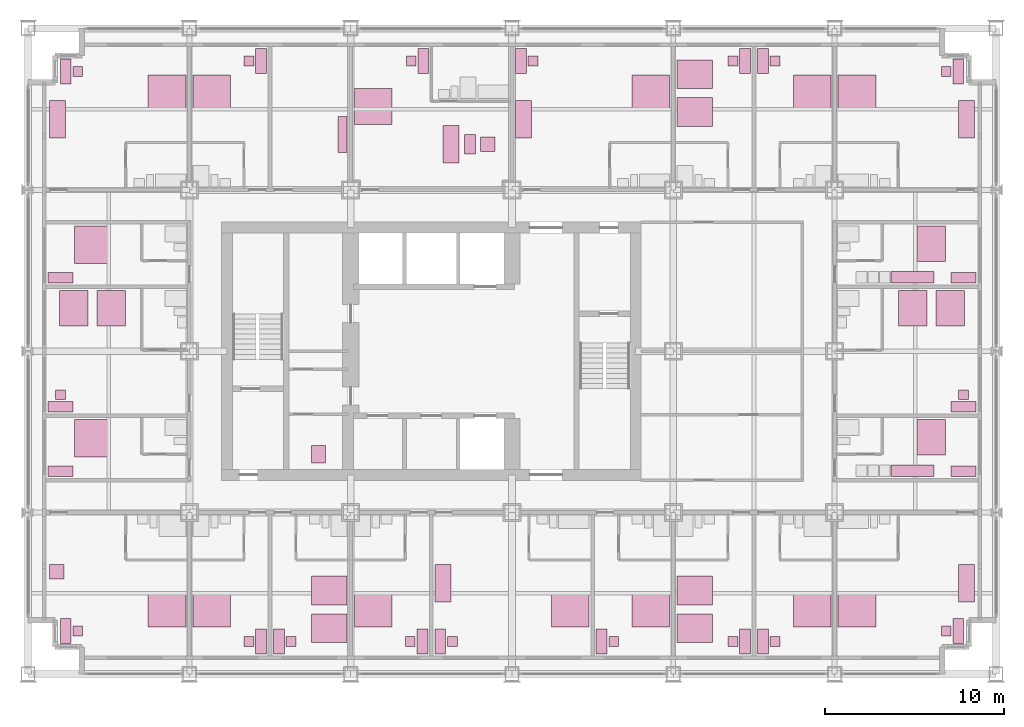
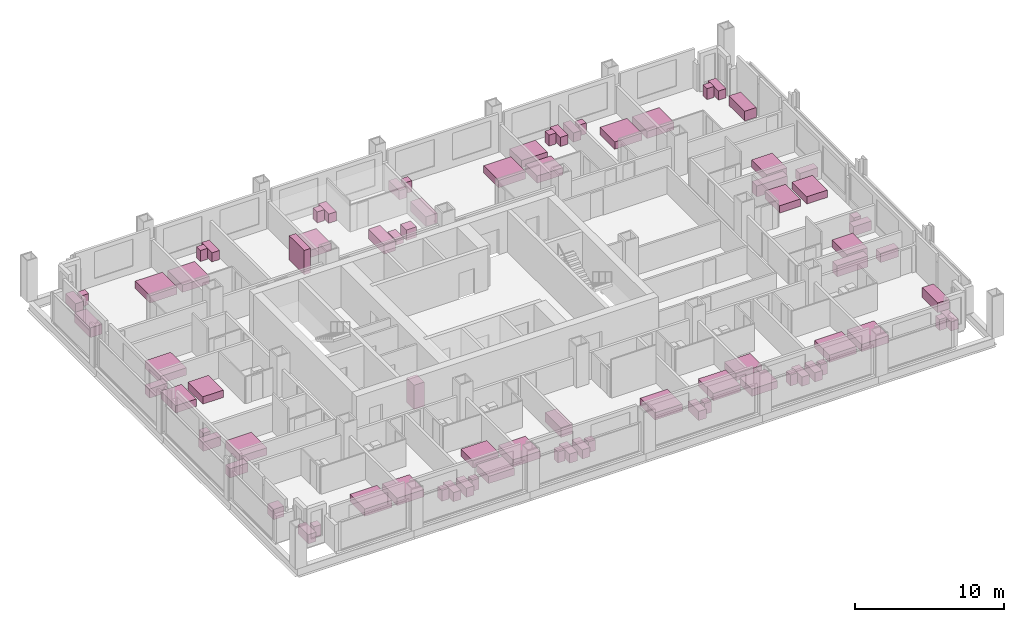
# One storey, part 19 of 19: 80 furniture elements.
"""IFC4 building model written with IfcOpenShell, lengths in metres."""

from ifc_helpers import new_model, si_unit, direction, frame, origin, origin_2d, place, context, subcontext, project, spatial, rectangle, extrude, element, save


model = new_model("IFC4")

# Units and contexts
model_context = context("Model", 3, precision=1e-05, world=origin(), true_north=direction((0.0, 1.0)))
body_context = subcontext(model_context, "Body", "Model", "MODEL_VIEW")
ifc_project = project(units=[si_unit("LENGTHUNIT", "METRE"), si_unit("AREAUNIT", "SQUARE_METRE"), si_unit("VOLUMEUNIT", "CUBIC_METRE"), si_unit("PLANEANGLEUNIT", "RADIAN"), si_unit("MASSUNIT", "GRAM", prefix="KILO")], contexts=[model_context])

# Site, building, storey
site_placement = place(None, origin())
site = spatial("IfcSite", under=ifc_project, at=site_placement, CompositionType="ELEMENT")
building_placement = place(site_placement, origin())
building = spatial("IfcBuilding", under=site, at=building_placement, Name="Loomwork Tower", CompositionType="ELEMENT")
storey_placement = place(building_placement, frame((0.0, 0.0, 85.800048828125)))
storey = spatial("IfcBuildingStorey", under=building, at=storey_placement, Name="L22", CompositionType="ELEMENT", Elevation=85.800048828125)

# Furniture
furniture_1_placement = place(storey_placement, frame((7.75, 3.60009765625, 0.0), z_axis=(0.0, 0.0, 1.0), x_axis=(1.0, 0.0, 0.0)))
element("IfcFurniture", 1, at=furniture_1_placement, inside=storey, Name="King bed L22", PredefinedType="BED", context=body_context, shape_type="SweptSolid", body=[
    extrude(rectangle(XDim=2.10009765625, YDim=2.0, at=origin_2d()), origin(), (0.0, 0.0, 1.0), 0.60009765625),
])
furniture_2_placement = place(storey_placement, frame((2.10009765625, 2.39990234375, 0.0), z_axis=(0.0, 0.0, 1.0), x_axis=(1.0, 0.0, 0.0)))
element("IfcFurniture", 2, at=furniture_2_placement, inside=storey, Name="Writing desk L22", PredefinedType="DESK", context=body_context, shape_type="SweptSolid", body=[
    extrude(rectangle(XDim=0.60009765625, YDim=1.39990234375, at=origin_2d()), origin(), (0.0, 0.0, 1.0), 0.75),
])
furniture_3_placement = place(storey_placement, frame((2.77490234375, 2.39990234375, 0.0), z_axis=(0.0, 0.0, 1.0), x_axis=(1.0, 0.0, 0.0)))
element("IfcFurniture", 3, at=furniture_3_placement, inside=storey, Name="Desk chair L22", PredefinedType="CHAIR", context=body_context, shape_type="SweptSolid", body=[
    extrude(rectangle(XDim=0.550048828125, YDim=0.550048828125, at=origin_2d()), origin(), (0.0, 0.0, 1.0), 0.89990234375),
])
furniture_4_placement = place(storey_placement, frame((1.60009765625, 5.699951171875, 0.0), z_axis=(0.0, 0.0, 1.0), x_axis=(1.0, 0.0, 0.0)))
element("IfcFurniture", 4, at=furniture_4_placement, inside=storey, Name="Lounge armchair L22", PredefinedType="CHAIR", context=body_context, shape_type="SweptSolid", body=[
    extrude(rectangle(XDim=0.800048828125, YDim=0.800048828125, at=origin_2d()), origin(), (0.0, 0.0, 1.0), 0.85009765625),
])
furniture_5_placement = place(storey_placement, frame((10.25, 3.60009765625, 0.0), z_axis=(0.0, 0.0, 1.0), x_axis=(1.0, 0.0, 0.0)))
element("IfcFurniture", 5, at=furniture_5_placement, inside=storey, Name="King bed L22", PredefinedType="BED", context=body_context, shape_type="SweptSolid", body=[
    extrude(rectangle(XDim=2.10009765625, YDim=2.0, at=origin_2d()), origin(), (0.0, 0.0, 1.0), 0.60009765625),
])
furniture_6_placement = place(storey_placement, frame((13.0, 1.800048828125, 0.0), z_axis=(0.0, 0.0, 1.0), x_axis=(1.0, 0.0, 0.0)))
element("IfcFurniture", 6, at=furniture_6_placement, inside=storey, Name="Writing desk L22", PredefinedType="DESK", context=body_context, shape_type="SweptSolid", body=[
    extrude(rectangle(XDim=0.60009765625, YDim=1.39990234375, at=origin_2d()), origin(), (0.0, 0.0, 1.0), 0.75),
])
furniture_7_placement = place(storey_placement, frame((12.324951171875, 1.800048828125, 0.0), z_axis=(0.0, 0.0, 1.0), x_axis=(1.0, 0.0, 0.0)))
element("IfcFurniture", 7, at=furniture_7_placement, inside=storey, Name="Desk chair L22", PredefinedType="CHAIR", context=body_context, shape_type="SweptSolid", body=[
    extrude(rectangle(XDim=0.550048828125, YDim=0.550048828125, at=origin_2d()), origin(), (0.0, 0.0, 1.0), 0.89990234375),
])
for number, where, z_axis, x_axis, name in (
    (8, (16.800048828125, 4.64990234375, 0.0), (0.0, 0.0, 1.0), (1.0, 0.0, 0.0), "Queen bed L22"),
    (9, (16.800048828125, 2.550048828125, 0.0), (0.0, 0.0, 1.0), (1.0, 0.0, 0.0), "Queen bed L22"),
):
    element("IfcFurniture", number, at=place(storey_placement, frame(where, z_axis=z_axis, x_axis=x_axis)), inside=storey, Name=name, PredefinedType="BED", context=body_context, shape_type="SweptSolid", body=[
        extrude(rectangle(XDim=2.0, YDim=1.60009765625, at=origin_2d()), origin(), (0.0, 0.0, 1.0), 0.60009765625),
    ])
furniture_8_placement = place(storey_placement, frame((14.0, 1.800048828125, 0.0), z_axis=(0.0, 0.0, 1.0), x_axis=(1.0, 0.0, 0.0)))
element("IfcFurniture", 10, at=furniture_8_placement, inside=storey, Name="Writing desk L22", PredefinedType="DESK", context=body_context, shape_type="SweptSolid", body=[
    extrude(rectangle(XDim=0.60009765625, YDim=1.39990234375, at=origin_2d()), origin(), (0.0, 0.0, 1.0), 0.75),
])
furniture_9_placement = place(storey_placement, frame((14.675048828125, 1.800048828125, 0.0), z_axis=(0.0, 0.0, 1.0), x_axis=(1.0, 0.0, 0.0)))
element("IfcFurniture", 11, at=furniture_9_placement, inside=storey, Name="Desk chair L22", PredefinedType="CHAIR", context=body_context, shape_type="SweptSolid", body=[
    extrude(rectangle(XDim=0.550048828125, YDim=0.550048828125, at=origin_2d()), origin(), (0.0, 0.0, 1.0), 0.89990234375),
])
furniture_10_placement = place(storey_placement, frame((19.25, 3.60009765625, 0.0), z_axis=(0.0, 0.0, 1.0), x_axis=(1.0, 0.0, 0.0)))
element("IfcFurniture", 12, at=furniture_10_placement, inside=storey, Name="King bed L22", PredefinedType="BED", context=body_context, shape_type="SweptSolid", body=[
    extrude(rectangle(XDim=2.10009765625, YDim=2.0, at=origin_2d()), origin(), (0.0, 0.0, 1.0), 0.60009765625),
])
furniture_11_placement = place(storey_placement, frame((22.0, 1.800048828125, 0.0), z_axis=(0.0, 0.0, 1.0), x_axis=(1.0, 0.0, 0.0)))
element("IfcFurniture", 13, at=furniture_11_placement, inside=storey, Name="Writing desk L22", PredefinedType="DESK", context=body_context, shape_type="SweptSolid", body=[
    extrude(rectangle(XDim=0.60009765625, YDim=1.39990234375, at=origin_2d()), origin(), (0.0, 0.0, 1.0), 0.75),
])
furniture_12_placement = place(storey_placement, frame((21.324951171875, 1.800048828125, 0.0), z_axis=(0.0, 0.0, 1.0), x_axis=(1.0, 0.0, 0.0)))
element("IfcFurniture", 14, at=furniture_12_placement, inside=storey, Name="Desk chair L22", PredefinedType="CHAIR", context=body_context, shape_type="SweptSolid", body=[
    extrude(rectangle(XDim=0.550048828125, YDim=0.550048828125, at=origin_2d()), origin(), (0.0, 0.0, 1.0), 0.89990234375),
])
furniture_13_placement = place(storey_placement, frame((30.25, 3.60009765625, 0.0), z_axis=(0.0, 0.0, 1.0), x_axis=(1.0, 0.0, 0.0)))
element("IfcFurniture", 15, at=furniture_13_placement, inside=storey, Name="King bed L22", PredefinedType="BED", context=body_context, shape_type="SweptSolid", body=[
    extrude(rectangle(XDim=2.10009765625, YDim=2.0, at=origin_2d()), origin(), (0.0, 0.0, 1.0), 0.60009765625),
])
furniture_14_placement = place(storey_placement, frame((23.0, 1.800048828125, 0.0), z_axis=(0.0, 0.0, 1.0), x_axis=(1.0, 0.0, 0.0)))
element("IfcFurniture", 16, at=furniture_14_placement, inside=storey, Name="Writing desk L22", PredefinedType="DESK", context=body_context, shape_type="SweptSolid", body=[
    extrude(rectangle(XDim=0.60009765625, YDim=1.39990234375, at=origin_2d()), origin(), (0.0, 0.0, 1.0), 0.75),
])
furniture_15_placement = place(storey_placement, frame((23.675048828125, 1.800048828125, 0.0), z_axis=(0.0, 0.0, 1.0), x_axis=(1.0, 0.0, 0.0)))
element("IfcFurniture", 17, at=furniture_15_placement, inside=storey, Name="Desk chair L22", PredefinedType="CHAIR", context=body_context, shape_type="SweptSolid", body=[
    extrude(rectangle(XDim=0.550048828125, YDim=0.550048828125, at=origin_2d()), origin(), (0.0, 0.0, 1.0), 0.89990234375),
])
furniture_16_placement = place(storey_placement, frame((23.14990234375, 5.050048828125, 0.0), z_axis=(0.0, 0.0, 1.0), x_axis=(1.0, 0.0, 0.0)))
element("IfcFurniture", 18, at=furniture_16_placement, inside=storey, Name="Sofa L22", PredefinedType="SOFA", context=body_context, shape_type="SweptSolid", body=[
    extrude(rectangle(XDim=0.89990234375, YDim=2.10009765625, at=origin_2d()), origin(), (0.0, 0.0, 1.0), 0.800048828125),
])
furniture_17_placement = place(storey_placement, frame((34.75, 3.60009765625, 0.0), z_axis=(0.0, 0.0, 1.0), x_axis=(1.0, 0.0, 0.0)))
element("IfcFurniture", 19, at=furniture_17_placement, inside=storey, Name="King bed L22", PredefinedType="BED", context=body_context, shape_type="SweptSolid", body=[
    extrude(rectangle(XDim=2.10009765625, YDim=2.0, at=origin_2d()), origin(), (0.0, 0.0, 1.0), 0.60009765625),
])
furniture_18_placement = place(storey_placement, frame((32.0, 1.800048828125, 0.0), z_axis=(0.0, 0.0, 1.0), x_axis=(1.0, 0.0, 0.0)))
element("IfcFurniture", 20, at=furniture_18_placement, inside=storey, Name="Writing desk L22", PredefinedType="DESK", context=body_context, shape_type="SweptSolid", body=[
    extrude(rectangle(XDim=0.60009765625, YDim=1.39990234375, at=origin_2d()), origin(), (0.0, 0.0, 1.0), 0.75),
])
furniture_19_placement = place(storey_placement, frame((32.675048828125, 1.800048828125, 0.0), z_axis=(0.0, 0.0, 1.0), x_axis=(1.0, 0.0, 0.0)))
element("IfcFurniture", 21, at=furniture_19_placement, inside=storey, Name="Desk chair L22", PredefinedType="CHAIR", context=body_context, shape_type="SweptSolid", body=[
    extrude(rectangle(XDim=0.550048828125, YDim=0.550048828125, at=origin_2d()), origin(), (0.0, 0.0, 1.0), 0.89990234375),
])
for number, where, z_axis, x_axis, name in (
    (22, (37.199951171875, 4.64990234375, 0.0), (0.0, 0.0, 1.0), (1.0, 0.0, 0.0), "Queen bed L22"),
    (23, (37.199951171875, 2.550048828125, 0.0), (0.0, 0.0, 1.0), (1.0, 0.0, 0.0), "Queen bed L22"),
):
    element("IfcFurniture", number, at=place(storey_placement, frame(where, z_axis=z_axis, x_axis=x_axis)), inside=storey, Name=name, PredefinedType="BED", context=body_context, shape_type="SweptSolid", body=[
        extrude(rectangle(XDim=2.0, YDim=1.60009765625, at=origin_2d()), origin(), (0.0, 0.0, 1.0), 0.60009765625),
    ])
furniture_20_placement = place(storey_placement, frame((40.0, 1.800048828125, 0.0), z_axis=(0.0, 0.0, 1.0), x_axis=(1.0, 0.0, 0.0)))
element("IfcFurniture", 24, at=furniture_20_placement, inside=storey, Name="Writing desk L22", PredefinedType="DESK", context=body_context, shape_type="SweptSolid", body=[
    extrude(rectangle(XDim=0.60009765625, YDim=1.39990234375, at=origin_2d()), origin(), (0.0, 0.0, 1.0), 0.75),
])
furniture_21_placement = place(storey_placement, frame((39.324951171875, 1.800048828125, 0.0), z_axis=(0.0, 0.0, 1.0), x_axis=(1.0, 0.0, 0.0)))
element("IfcFurniture", 25, at=furniture_21_placement, inside=storey, Name="Desk chair L22", PredefinedType="CHAIR", context=body_context, shape_type="SweptSolid", body=[
    extrude(rectangle(XDim=0.550048828125, YDim=0.550048828125, at=origin_2d()), origin(), (0.0, 0.0, 1.0), 0.89990234375),
])
furniture_22_placement = place(storey_placement, frame((43.75, 3.60009765625, 0.0), z_axis=(0.0, 0.0, 1.0), x_axis=(1.0, 0.0, 0.0)))
element("IfcFurniture", 26, at=furniture_22_placement, inside=storey, Name="King bed L22", PredefinedType="BED", context=body_context, shape_type="SweptSolid", body=[
    extrude(rectangle(XDim=2.10009765625, YDim=2.0, at=origin_2d()), origin(), (0.0, 0.0, 1.0), 0.60009765625),
])
furniture_23_placement = place(storey_placement, frame((41.0, 1.800048828125, 0.0), z_axis=(0.0, 0.0, 1.0), x_axis=(1.0, 0.0, 0.0)))
element("IfcFurniture", 27, at=furniture_23_placement, inside=storey, Name="Writing desk L22", PredefinedType="DESK", context=body_context, shape_type="SweptSolid", body=[
    extrude(rectangle(XDim=0.60009765625, YDim=1.39990234375, at=origin_2d()), origin(), (0.0, 0.0, 1.0), 0.75),
])
furniture_24_placement = place(storey_placement, frame((41.675048828125, 1.800048828125, 0.0), z_axis=(0.0, 0.0, 1.0), x_axis=(1.0, 0.0, 0.0)))
element("IfcFurniture", 28, at=furniture_24_placement, inside=storey, Name="Desk chair L22", PredefinedType="CHAIR", context=body_context, shape_type="SweptSolid", body=[
    extrude(rectangle(XDim=0.550048828125, YDim=0.550048828125, at=origin_2d()), origin(), (0.0, 0.0, 1.0), 0.89990234375),
])
furniture_25_placement = place(storey_placement, frame((46.25, 3.60009765625, 0.0), z_axis=(0.0, 0.0, 1.0), x_axis=(1.0, 0.0, 0.0)))
element("IfcFurniture", 29, at=furniture_25_placement, inside=storey, Name="King bed L22", PredefinedType="BED", context=body_context, shape_type="SweptSolid", body=[
    extrude(rectangle(XDim=2.10009765625, YDim=2.0, at=origin_2d()), origin(), (0.0, 0.0, 1.0), 0.60009765625),
])
furniture_26_placement = place(storey_placement, frame((51.89990234375, 2.39990234375, 0.0), z_axis=(0.0, 0.0, 1.0), x_axis=(1.0, 0.0, 0.0)))
element("IfcFurniture", 30, at=furniture_26_placement, inside=storey, Name="Writing desk L22", PredefinedType="DESK", context=body_context, shape_type="SweptSolid", body=[
    extrude(rectangle(XDim=0.60009765625, YDim=1.39990234375, at=origin_2d()), origin(), (0.0, 0.0, 1.0), 0.75),
])
furniture_27_placement = place(storey_placement, frame((51.22509765625, 2.39990234375, 0.0), z_axis=(0.0, 0.0, 1.0), x_axis=(1.0, 0.0, 0.0)))
element("IfcFurniture", 31, at=furniture_27_placement, inside=storey, Name="Desk chair L22", PredefinedType="CHAIR", context=body_context, shape_type="SweptSolid", body=[
    extrude(rectangle(XDim=0.550048828125, YDim=0.550048828125, at=origin_2d()), origin(), (0.0, 0.0, 1.0), 0.89990234375),
])
furniture_28_placement = place(storey_placement, frame((52.35009765625, 5.050048828125, 0.0), z_axis=(0.0, 0.0, 1.0), x_axis=(1.0, 0.0, 0.0)))
element("IfcFurniture", 32, at=furniture_28_placement, inside=storey, Name="Sofa L22", PredefinedType="SOFA", context=body_context, shape_type="SweptSolid", body=[
    extrude(rectangle(XDim=0.89990234375, YDim=2.10009765625, at=origin_2d()), origin(), (0.0, 0.0, 1.0), 0.800048828125),
])
furniture_29_placement = place(storey_placement, frame((7.75, 32.39990234375, 0.0), z_axis=(0.0, 0.0, 1.0), x_axis=(1.0, 0.0, 0.0)))
element("IfcFurniture", 33, at=furniture_29_placement, inside=storey, Name="King bed L22", PredefinedType="BED", context=body_context, shape_type="SweptSolid", body=[
    extrude(rectangle(XDim=2.10009765625, YDim=2.0, at=origin_2d()), origin(), (0.0, 0.0, 1.0), 0.60009765625),
])
furniture_30_placement = place(storey_placement, frame((2.10009765625, 33.60009765625, 0.0), z_axis=(0.0, 0.0, 1.0), x_axis=(1.0, 0.0, 0.0)))
element("IfcFurniture", 34, at=furniture_30_placement, inside=storey, Name="Writing desk L22", PredefinedType="DESK", context=body_context, shape_type="SweptSolid", body=[
    extrude(rectangle(XDim=0.60009765625, YDim=1.39990234375, at=origin_2d()), origin(), (0.0, 0.0, 1.0), 0.75),
])
furniture_31_placement = place(storey_placement, frame((2.77490234375, 33.60009765625, 0.0), z_axis=(0.0, 0.0, 1.0), x_axis=(1.0, 0.0, 0.0)))
element("IfcFurniture", 35, at=furniture_31_placement, inside=storey, Name="Desk chair L22", PredefinedType="CHAIR", context=body_context, shape_type="SweptSolid", body=[
    extrude(rectangle(XDim=0.550048828125, YDim=0.550048828125, at=origin_2d()), origin(), (0.0, 0.0, 1.0), 0.89990234375),
])
furniture_32_placement = place(storey_placement, frame((1.64990234375, 30.949951171875, 0.0), z_axis=(0.0, 0.0, 1.0), x_axis=(1.0, 0.0, 0.0)))
element("IfcFurniture", 36, at=furniture_32_placement, inside=storey, Name="Sofa L22", PredefinedType="SOFA", context=body_context, shape_type="SweptSolid", body=[
    extrude(rectangle(XDim=0.89990234375, YDim=2.10009765625, at=origin_2d()), origin(), (0.0, 0.0, 1.0), 0.800048828125),
])
furniture_33_placement = place(storey_placement, frame((10.25, 32.39990234375, 0.0), z_axis=(0.0, 0.0, 1.0), x_axis=(1.0, 0.0, 0.0)))
element("IfcFurniture", 37, at=furniture_33_placement, inside=storey, Name="King bed L22", PredefinedType="BED", context=body_context, shape_type="SweptSolid", body=[
    extrude(rectangle(XDim=2.10009765625, YDim=2.0, at=origin_2d()), origin(), (0.0, 0.0, 1.0), 0.60009765625),
])
furniture_34_placement = place(storey_placement, frame((13.0, 34.199951171875, 0.0), z_axis=(0.0, 0.0, 1.0), x_axis=(1.0, 0.0, 0.0)))
element("IfcFurniture", 38, at=furniture_34_placement, inside=storey, Name="Writing desk L22", PredefinedType="DESK", context=body_context, shape_type="SweptSolid", body=[
    extrude(rectangle(XDim=0.60009765625, YDim=1.39990234375, at=origin_2d()), origin(), (0.0, 0.0, 1.0), 0.75),
])
furniture_35_placement = place(storey_placement, frame((12.324951171875, 34.199951171875, 0.0), z_axis=(0.0, 0.0, 1.0), x_axis=(1.0, 0.0, 0.0)))
element("IfcFurniture", 39, at=furniture_35_placement, inside=storey, Name="Desk chair L22", PredefinedType="CHAIR", context=body_context, shape_type="SweptSolid", body=[
    extrude(rectangle(XDim=0.550048828125, YDim=0.550048828125, at=origin_2d()), origin(), (0.0, 0.0, 1.0), 0.89990234375),
])
furniture_36_placement = place(storey_placement, frame((17.550048828125, 30.10009765625, 0.0), z_axis=(0.0, 0.0, 1.0), x_axis=(1.0, 0.0, 0.0)))
element("IfcFurniture", 40, at=furniture_36_placement, inside=storey, Name="Linen shelving L22", PredefinedType="SHELF", context=body_context, shape_type="SweptSolid", body=[
    extrude(rectangle(XDim=0.5, YDim=2.0, at=origin_2d()), origin(), (0.0, 0.0, 1.0), 2.0),
])
furniture_37_placement = place(storey_placement, frame((19.25, 31.64990234375, 0.0), z_axis=(0.0, 0.0, 1.0), x_axis=(1.0, 0.0, 0.0)))
element("IfcFurniture", 41, at=furniture_37_placement, inside=storey, Name="King bed L22", PredefinedType="BED", context=body_context, shape_type="SweptSolid", body=[
    extrude(rectangle(XDim=2.10009765625, YDim=2.0, at=origin_2d()), origin(), (0.0, 0.0, 1.0), 0.60009765625),
])
furniture_38_placement = place(storey_placement, frame((22.050048828125, 34.199951171875, 0.0), z_axis=(0.0, 0.0, 1.0), x_axis=(1.0, 0.0, 0.0)))
element("IfcFurniture", 42, at=furniture_38_placement, inside=storey, Name="Writing desk L22", PredefinedType="DESK", context=body_context, shape_type="SweptSolid", body=[
    extrude(rectangle(XDim=0.60009765625, YDim=1.39990234375, at=origin_2d()), origin(), (0.0, 0.0, 1.0), 0.75),
])
furniture_39_placement = place(storey_placement, frame((21.375, 34.199951171875, 0.0), z_axis=(0.0, 0.0, 1.0), x_axis=(1.0, 0.0, 0.0)))
element("IfcFurniture", 43, at=furniture_39_placement, inside=storey, Name="Desk chair L22", PredefinedType="CHAIR", context=body_context, shape_type="SweptSolid", body=[
    extrude(rectangle(XDim=0.550048828125, YDim=0.550048828125, at=origin_2d()), origin(), (0.0, 0.0, 1.0), 0.89990234375),
])
furniture_40_placement = place(storey_placement, frame((23.60009765625, 29.550048828125, 0.0), z_axis=(0.0, 0.0, 1.0), x_axis=(1.0, 0.0, 0.0)))
element("IfcFurniture", 44, at=furniture_40_placement, inside=storey, Name="Sofa L22", PredefinedType="SOFA", context=body_context, shape_type="SweptSolid", body=[
    extrude(rectangle(XDim=0.89990234375, YDim=2.10009765625, at=origin_2d()), origin(), (0.0, 0.0, 1.0), 0.800048828125),
])
furniture_41_placement = place(storey_placement, frame((24.64990234375, 29.550048828125, 0.0), z_axis=(0.0, 0.0, 1.0), x_axis=(1.0, 0.0, 0.0)))
element("IfcFurniture", 45, at=furniture_41_placement, inside=storey, Name="Coffee table L22", PredefinedType="TABLE", context=body_context, shape_type="SweptSolid", body=[
    extrude(rectangle(XDim=0.60009765625, YDim=1.10009765625, at=origin_2d()), origin(), (0.0, 0.0, 1.0), 0.449951171875),
])
furniture_42_placement = place(storey_placement, frame((25.64990234375, 29.550048828125, 0.0), z_axis=(0.0, 0.0, 1.0), x_axis=(1.0, 0.0, 0.0)))
element("IfcFurniture", 46, at=furniture_42_placement, inside=storey, Name="Lounge armchair L22", PredefinedType="CHAIR", context=body_context, shape_type="SweptSolid", body=[
    extrude(rectangle(XDim=0.800048828125, YDim=0.800048828125, at=origin_2d()), origin(), (0.0, 0.0, 1.0), 0.85009765625),
])
furniture_43_placement = place(storey_placement, frame((34.75, 32.39990234375, 0.0), z_axis=(0.0, 0.0, 1.0), x_axis=(1.0, 0.0, 0.0)))
element("IfcFurniture", 47, at=furniture_43_placement, inside=storey, Name="King bed L22", PredefinedType="BED", context=body_context, shape_type="SweptSolid", body=[
    extrude(rectangle(XDim=2.10009765625, YDim=2.0, at=origin_2d()), origin(), (0.0, 0.0, 1.0), 0.60009765625),
])
furniture_44_placement = place(storey_placement, frame((27.5, 34.199951171875, 0.0), z_axis=(0.0, 0.0, 1.0), x_axis=(1.0, 0.0, 0.0)))
element("IfcFurniture", 48, at=furniture_44_placement, inside=storey, Name="Writing desk L22", PredefinedType="DESK", context=body_context, shape_type="SweptSolid", body=[
    extrude(rectangle(XDim=0.60009765625, YDim=1.39990234375, at=origin_2d()), origin(), (0.0, 0.0, 1.0), 0.75),
])
furniture_45_placement = place(storey_placement, frame((28.175048828125, 34.199951171875, 0.0), z_axis=(0.0, 0.0, 1.0), x_axis=(1.0, 0.0, 0.0)))
element("IfcFurniture", 49, at=furniture_45_placement, inside=storey, Name="Desk chair L22", PredefinedType="CHAIR", context=body_context, shape_type="SweptSolid", body=[
    extrude(rectangle(XDim=0.550048828125, YDim=0.550048828125, at=origin_2d()), origin(), (0.0, 0.0, 1.0), 0.89990234375),
])
furniture_46_placement = place(storey_placement, frame((27.64990234375, 30.949951171875, 0.0), z_axis=(0.0, 0.0, 1.0), x_axis=(1.0, 0.0, 0.0)))
element("IfcFurniture", 50, at=furniture_46_placement, inside=storey, Name="Sofa L22", PredefinedType="SOFA", context=body_context, shape_type="SweptSolid", body=[
    extrude(rectangle(XDim=0.89990234375, YDim=2.10009765625, at=origin_2d()), origin(), (0.0, 0.0, 1.0), 0.800048828125),
])
for number, where, z_axis, x_axis, name in (
    (51, (37.199951171875, 31.35009765625, 0.0), (0.0, 0.0, 1.0), (1.0, 0.0, 0.0), "Queen bed L22"),
    (52, (37.199951171875, 33.449951171875, 0.0), (0.0, 0.0, 1.0), (1.0, 0.0, 0.0), "Queen bed L22"),
):
    element("IfcFurniture", number, at=place(storey_placement, frame(where, z_axis=z_axis, x_axis=x_axis)), inside=storey, Name=name, PredefinedType="BED", context=body_context, shape_type="SweptSolid", body=[
        extrude(rectangle(XDim=2.0, YDim=1.60009765625, at=origin_2d()), origin(), (0.0, 0.0, 1.0), 0.60009765625),
    ])
furniture_47_placement = place(storey_placement, frame((40.0, 34.199951171875, 0.0), z_axis=(0.0, 0.0, 1.0), x_axis=(1.0, 0.0, 0.0)))
element("IfcFurniture", 53, at=furniture_47_placement, inside=storey, Name="Writing desk L22", PredefinedType="DESK", context=body_context, shape_type="SweptSolid", body=[
    extrude(rectangle(XDim=0.60009765625, YDim=1.39990234375, at=origin_2d()), origin(), (0.0, 0.0, 1.0), 0.75),
])
furniture_48_placement = place(storey_placement, frame((39.324951171875, 34.199951171875, 0.0), z_axis=(0.0, 0.0, 1.0), x_axis=(1.0, 0.0, 0.0)))
element("IfcFurniture", 54, at=furniture_48_placement, inside=storey, Name="Desk chair L22", PredefinedType="CHAIR", context=body_context, shape_type="SweptSolid", body=[
    extrude(rectangle(XDim=0.550048828125, YDim=0.550048828125, at=origin_2d()), origin(), (0.0, 0.0, 1.0), 0.89990234375),
])
furniture_49_placement = place(storey_placement, frame((43.75, 32.39990234375, 0.0), z_axis=(0.0, 0.0, 1.0), x_axis=(1.0, 0.0, 0.0)))
element("IfcFurniture", 55, at=furniture_49_placement, inside=storey, Name="King bed L22", PredefinedType="BED", context=body_context, shape_type="SweptSolid", body=[
    extrude(rectangle(XDim=2.10009765625, YDim=2.0, at=origin_2d()), origin(), (0.0, 0.0, 1.0), 0.60009765625),
])
furniture_50_placement = place(storey_placement, frame((41.0, 34.199951171875, 0.0), z_axis=(0.0, 0.0, 1.0), x_axis=(1.0, 0.0, 0.0)))
element("IfcFurniture", 56, at=furniture_50_placement, inside=storey, Name="Writing desk L22", PredefinedType="DESK", context=body_context, shape_type="SweptSolid", body=[
    extrude(rectangle(XDim=0.60009765625, YDim=1.39990234375, at=origin_2d()), origin(), (0.0, 0.0, 1.0), 0.75),
])
furniture_51_placement = place(storey_placement, frame((41.675048828125, 34.199951171875, 0.0), z_axis=(0.0, 0.0, 1.0), x_axis=(1.0, 0.0, 0.0)))
element("IfcFurniture", 57, at=furniture_51_placement, inside=storey, Name="Desk chair L22", PredefinedType="CHAIR", context=body_context, shape_type="SweptSolid", body=[
    extrude(rectangle(XDim=0.550048828125, YDim=0.550048828125, at=origin_2d()), origin(), (0.0, 0.0, 1.0), 0.89990234375),
])
furniture_52_placement = place(storey_placement, frame((46.25, 32.39990234375, 0.0), z_axis=(0.0, 0.0, 1.0), x_axis=(1.0, 0.0, 0.0)))
element("IfcFurniture", 58, at=furniture_52_placement, inside=storey, Name="King bed L22", PredefinedType="BED", context=body_context, shape_type="SweptSolid", body=[
    extrude(rectangle(XDim=2.10009765625, YDim=2.0, at=origin_2d()), origin(), (0.0, 0.0, 1.0), 0.60009765625),
])
furniture_53_placement = place(storey_placement, frame((51.89990234375, 33.60009765625, 0.0), z_axis=(0.0, 0.0, 1.0), x_axis=(1.0, 0.0, 0.0)))
element("IfcFurniture", 59, at=furniture_53_placement, inside=storey, Name="Writing desk L22", PredefinedType="DESK", context=body_context, shape_type="SweptSolid", body=[
    extrude(rectangle(XDim=0.60009765625, YDim=1.39990234375, at=origin_2d()), origin(), (0.0, 0.0, 1.0), 0.75),
])
furniture_54_placement = place(storey_placement, frame((51.22509765625, 33.60009765625, 0.0), z_axis=(0.0, 0.0, 1.0), x_axis=(1.0, 0.0, 0.0)))
element("IfcFurniture", 60, at=furniture_54_placement, inside=storey, Name="Desk chair L22", PredefinedType="CHAIR", context=body_context, shape_type="SweptSolid", body=[
    extrude(rectangle(XDim=0.550048828125, YDim=0.550048828125, at=origin_2d()), origin(), (0.0, 0.0, 1.0), 0.89990234375),
])
furniture_55_placement = place(storey_placement, frame((52.35009765625, 30.949951171875, 0.0), z_axis=(0.0, 0.0, 1.0), x_axis=(1.0, 0.0, 0.0)))
element("IfcFurniture", 61, at=furniture_55_placement, inside=storey, Name="Sofa L22", PredefinedType="SOFA", context=body_context, shape_type="SweptSolid", body=[
    extrude(rectangle(XDim=0.89990234375, YDim=2.10009765625, at=origin_2d()), origin(), (0.0, 0.0, 1.0), 0.800048828125),
])
furniture_56_placement = place(storey_placement, frame((3.60009765625, 13.14990234375, 0.0), z_axis=(0.0, 0.0, 1.0), x_axis=(1.0, 0.0, 0.0)))
element("IfcFurniture", 62, at=furniture_56_placement, inside=storey, Name="King bed L22", PredefinedType="BED", context=body_context, shape_type="SweptSolid", body=[
    extrude(rectangle(XDim=2.0, YDim=2.10009765625, at=origin_2d()), origin(), (0.0, 0.0, 1.0), 0.60009765625),
])
furniture_57_placement = place(storey_placement, frame((1.800048828125, 11.300048828125, 0.0), z_axis=(0.0, 0.0, 1.0), x_axis=(1.0, 0.0, 0.0)))
element("IfcFurniture", 63, at=furniture_57_placement, inside=storey, Name="Writing desk L22", PredefinedType="DESK", context=body_context, shape_type="SweptSolid", body=[
    extrude(rectangle(XDim=1.39990234375, YDim=0.60009765625, at=origin_2d()), origin(), (0.0, 0.0, 1.0), 0.75),
])
for number, where, z_axis, x_axis, name in (
    (64, (4.64990234375, 20.39990234375, 0.0), (0.0, 0.0, 1.0), (1.0, 0.0, 0.0), "Queen bed L22"),
    (65, (2.550048828125, 20.39990234375, 0.0), (0.0, 0.0, 1.0), (1.0, 0.0, 0.0), "Queen bed L22"),
):
    element("IfcFurniture", number, at=place(storey_placement, frame(where, z_axis=z_axis, x_axis=x_axis)), inside=storey, Name=name, PredefinedType="BED", context=body_context, shape_type="SweptSolid", body=[
        extrude(rectangle(XDim=1.60009765625, YDim=2.0, at=origin_2d()), origin(), (0.0, 0.0, 1.0), 0.60009765625),
    ])
furniture_58_placement = place(storey_placement, frame((1.800048828125, 14.89990234375, 0.0), z_axis=(0.0, 0.0, 1.0), x_axis=(1.0, 0.0, 0.0)))
element("IfcFurniture", 66, at=furniture_58_placement, inside=storey, Name="Writing desk L22", PredefinedType="DESK", context=body_context, shape_type="SweptSolid", body=[
    extrude(rectangle(XDim=1.39990234375, YDim=0.60009765625, at=origin_2d()), origin(), (0.0, 0.0, 1.0), 0.75),
])
furniture_59_placement = place(storey_placement, frame((1.800048828125, 15.574951171875, 0.0), z_axis=(0.0, 0.0, 1.0), x_axis=(1.0, 0.0, 0.0)))
element("IfcFurniture", 67, at=furniture_59_placement, inside=storey, Name="Desk chair L22", PredefinedType="CHAIR", context=body_context, shape_type="SweptSolid", body=[
    extrude(rectangle(XDim=0.550048828125, YDim=0.550048828125, at=origin_2d()), origin(), (0.0, 0.0, 1.0), 0.89990234375),
])
furniture_60_placement = place(storey_placement, frame((3.60009765625, 23.949951171875, 0.0), z_axis=(0.0, 0.0, 1.0), x_axis=(1.0, 0.0, 0.0)))
element("IfcFurniture", 68, at=furniture_60_placement, inside=storey, Name="King bed L22", PredefinedType="BED", context=body_context, shape_type="SweptSolid", body=[
    extrude(rectangle(XDim=2.0, YDim=2.10009765625, at=origin_2d()), origin(), (0.0, 0.0, 1.0), 0.60009765625),
])
furniture_61_placement = place(storey_placement, frame((1.800048828125, 22.10009765625, 0.0), z_axis=(0.0, 0.0, 1.0), x_axis=(1.0, 0.0, 0.0)))
element("IfcFurniture", 69, at=furniture_61_placement, inside=storey, Name="Writing desk L22", PredefinedType="DESK", context=body_context, shape_type="SweptSolid", body=[
    extrude(rectangle(XDim=1.39990234375, YDim=0.60009765625, at=origin_2d()), origin(), (0.0, 0.0, 1.0), 0.75),
])
furniture_62_placement = place(storey_placement, frame((50.39990234375, 13.199951171875, 0.0), z_axis=(0.0, 0.0, 1.0), x_axis=(1.0, 0.0, 0.0)))
element("IfcFurniture", 70, at=furniture_62_placement, inside=storey, Name="Queen bed L22", PredefinedType="BED", context=body_context, shape_type="SweptSolid", body=[
    extrude(rectangle(XDim=1.60009765625, YDim=2.0, at=origin_2d()), origin(), (0.0, 0.0, 1.0), 0.60009765625),
])
furniture_63_placement = place(storey_placement, frame((52.199951171875, 11.300048828125, 0.0), z_axis=(0.0, 0.0, 1.0), x_axis=(1.0, 0.0, 0.0)))
element("IfcFurniture", 71, at=furniture_63_placement, inside=storey, Name="Writing desk L22", PredefinedType="DESK", context=body_context, shape_type="SweptSolid", body=[
    extrude(rectangle(XDim=1.39990234375, YDim=0.60009765625, at=origin_2d()), origin(), (0.0, 0.0, 1.0), 0.75),
])
furniture_64_placement = place(storey_placement, frame((49.35009765625, 11.324951171875, 0.0), z_axis=(0.0, 0.0, 1.0), x_axis=(1.0, 0.0, 0.0)))
element("IfcFurniture", 72, at=furniture_64_placement, inside=storey, Name="Kitchenette counter L22", ObjectType="KITCHENETTE", PredefinedType="USERDEFINED", context=body_context, shape_type="SweptSolid", body=[
    extrude(rectangle(XDim=2.39990234375, YDim=0.64990234375, at=origin_2d()), origin(), (0.0, 0.0, 1.0), 0.89990234375),
])
for number, where, z_axis, x_axis, name in (
    (73, (49.35009765625, 20.39990234375, 0.0), (0.0, 0.0, 1.0), (1.0, 0.0, 0.0), "Queen bed L22"),
    (74, (51.449951171875, 20.39990234375, 0.0), (0.0, 0.0, 1.0), (1.0, 0.0, 0.0), "Queen bed L22"),
):
    element("IfcFurniture", number, at=place(storey_placement, frame(where, z_axis=z_axis, x_axis=x_axis)), inside=storey, Name=name, PredefinedType="BED", context=body_context, shape_type="SweptSolid", body=[
        extrude(rectangle(XDim=1.60009765625, YDim=2.0, at=origin_2d()), origin(), (0.0, 0.0, 1.0), 0.60009765625),
    ])
furniture_65_placement = place(storey_placement, frame((52.199951171875, 14.89990234375, 0.0), z_axis=(0.0, 0.0, 1.0), x_axis=(1.0, 0.0, 0.0)))
element("IfcFurniture", 75, at=furniture_65_placement, inside=storey, Name="Writing desk L22", PredefinedType="DESK", context=body_context, shape_type="SweptSolid", body=[
    extrude(rectangle(XDim=1.39990234375, YDim=0.60009765625, at=origin_2d()), origin(), (0.0, 0.0, 1.0), 0.75),
])
furniture_66_placement = place(storey_placement, frame((52.199951171875, 15.574951171875, 0.0), z_axis=(0.0, 0.0, 1.0), x_axis=(1.0, 0.0, 0.0)))
element("IfcFurniture", 76, at=furniture_66_placement, inside=storey, Name="Desk chair L22", PredefinedType="CHAIR", context=body_context, shape_type="SweptSolid", body=[
    extrude(rectangle(XDim=0.550048828125, YDim=0.550048828125, at=origin_2d()), origin(), (0.0, 0.0, 1.0), 0.89990234375),
])
furniture_67_placement = place(storey_placement, frame((50.39990234375, 24.0, 0.0), z_axis=(0.0, 0.0, 1.0), x_axis=(1.0, 0.0, 0.0)))
element("IfcFurniture", 77, at=furniture_67_placement, inside=storey, Name="Queen bed L22", PredefinedType="BED", context=body_context, shape_type="SweptSolid", body=[
    extrude(rectangle(XDim=1.60009765625, YDim=2.0, at=origin_2d()), origin(), (0.0, 0.0, 1.0), 0.60009765625),
])
furniture_68_placement = place(storey_placement, frame((52.199951171875, 22.10009765625, 0.0), z_axis=(0.0, 0.0, 1.0), x_axis=(1.0, 0.0, 0.0)))
element("IfcFurniture", 78, at=furniture_68_placement, inside=storey, Name="Writing desk L22", PredefinedType="DESK", context=body_context, shape_type="SweptSolid", body=[
    extrude(rectangle(XDim=1.39990234375, YDim=0.60009765625, at=origin_2d()), origin(), (0.0, 0.0, 1.0), 0.75),
])
furniture_69_placement = place(storey_placement, frame((49.35009765625, 22.125, 0.0), z_axis=(0.0, 0.0, 1.0), x_axis=(1.0, 0.0, 0.0)))
element("IfcFurniture", 79, at=furniture_69_placement, inside=storey, Name="Kitchenette counter L22", ObjectType="KITCHENETTE", PredefinedType="USERDEFINED", context=body_context, shape_type="SweptSolid", body=[
    extrude(rectangle(XDim=2.39990234375, YDim=0.64990234375, at=origin_2d()), origin(), (0.0, 0.0, 1.0), 0.89990234375),
])
furniture_70_placement = place(storey_placement, frame((16.199951171875, 12.25, 0.0), z_axis=(0.0, 0.0, 1.0), x_axis=(1.0, 0.0, 0.0)))
element("IfcFurniture", 80, at=furniture_70_placement, inside=storey, Name="Data cabinet L22", ObjectType="DATA CABINET", PredefinedType="USERDEFINED", context=body_context, shape_type="SweptSolid", body=[
    extrude(rectangle(XDim=0.800048828125, YDim=1.0, at=origin_2d()), origin(), (0.0, 0.0, 1.0), 2.0),
])

save(model, "model.ifc")
